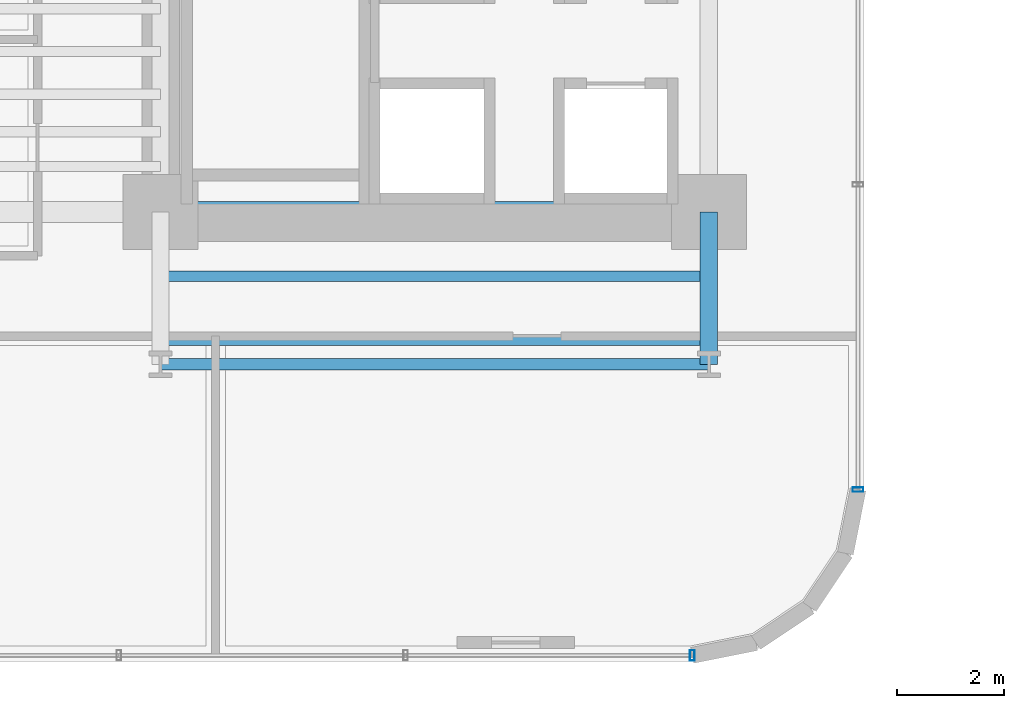
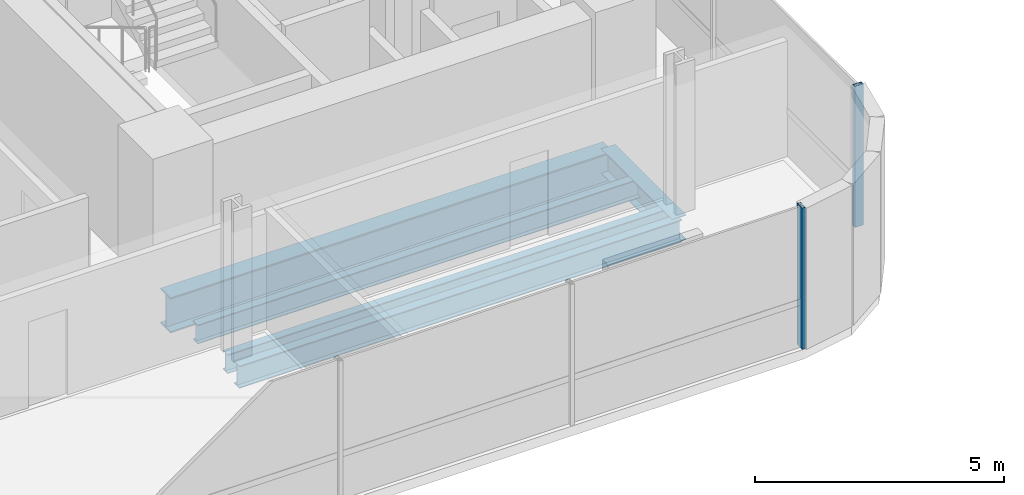
# One storey, part 5 of 38: 5 beams, 2 members, 2 elements without a shape of their own.
"""IFC4 building model written with IfcOpenShell, lengths in metres."""

from ifc_helpers import new_model, si_unit, direction, frame, origin, origin_2d, place, context, subcontext, project, spatial, hollow_rectangle, i_section, extrude, source, transform, mapped, material, material_profile, profile_set, type_object, element, aggregate, save


model = new_model("IFC4")

# Units and contexts
model_context = context("Model", 3, precision=1e-05, world=origin(), true_north=direction((0.0, 1.0)))
body_context = subcontext(model_context, "Body", "Model", "MODEL_VIEW")
ifc_project = project(units=[si_unit("LENGTHUNIT", "METRE"), si_unit("AREAUNIT", "SQUARE_METRE"), si_unit("VOLUMEUNIT", "CUBIC_METRE"), si_unit("PLANEANGLEUNIT", "RADIAN"), si_unit("MASSUNIT", "GRAM", prefix="KILO")], contexts=[model_context])

# Site, building, storey
site_placement = place(None, origin())
site = spatial("IfcSite", under=ifc_project, at=site_placement, CompositionType="ELEMENT")
building_placement = place(site_placement, origin())
building = spatial("IfcBuilding", under=site, at=building_placement, Name="Valdorenza Pilgrim Sanctuary Tower", CompositionType="ELEMENT")
storey_placement = place(building_placement, frame((0.0, 0.0, 37.10009765625)))
storey = spatial("IfcBuildingStorey", under=building, at=storey_placement, Name="L08", CompositionType="ELEMENT", Elevation=37.10009765625)

# Beams
ifc_material_1 = material(Name="Steel ASTM A992 Grade 50", Category="steel")
ifc_material_profile_1 = material_profile(ifc_material_1, i_section(OverallWidth=0.214111328125, OverallDepth=0.549072265625, WebThickness=0.0146484375, FlangeThickness=0.023681640625, at=origin_2d()), Name="W21X93")
ifc_profile_set_1 = profile_set([ifc_material_profile_1], Name="Steel ASTM A992 Grade 50")
beam_type_1 = type_object("IfcBeamType", Name="STR-BM-SPN-W21A", PredefinedType="SPANDREL", material=ifc_profile_set_1)
shared_shape_1 = source(origin(), body_context, "Body", "SweptSolid", [
    extrude(i_section(OverallWidth=0.214111328125, OverallDepth=0.549072265625, WebThickness=0.0146484375, FlangeThickness=0.023681640625, at=origin_2d()), origin(), (0.0, 0.0, 1.0), 10.25),
])
beam_1_placement = place(storey_placement, frame((-22.64990234375, -13.449951171875, -0.5146484375), z_axis=(1.0, 0.0, 0.0), x_axis=(0.0, 1.0, 0.0)))
element("IfcBeam", 1, at=beam_1_placement, inside=storey, type_object=beam_type_1, Name="L08 South Spandrel WA-S-TIE", PredefinedType="SPANDREL", context=body_context, shape_type="MappedRepresentation", body=[
    mapped(shared_shape_1, transform((0.0, 0.0, 0.0), x_axis=(1.0, 0.0, 0.0), y_axis=(0.0, 1.0, 0.0), z_axis=(0.0, 0.0, 1.0), scale=1.0)),
])
ifc_material_profile_2 = material_profile(ifc_material_1, i_section(OverallWidth=0.323974609375, OverallDepth=0.611083984375, WebThickness=0.0126953125, FlangeThickness=0.01904296875, at=origin_2d()), Name="W24X104")
ifc_profile_set_2 = profile_set([ifc_material_profile_2], Name="Steel ASTM A992 Grade 50")
beam_type_2 = type_object("IfcBeamType", Name="STR-BM-GRD-W24B", PredefinedType="BEAM", material=ifc_profile_set_2)
shared_shape_2 = source(origin(), body_context, "Body", "SweptSolid", [
    extrude(i_section(OverallWidth=0.323974609375, OverallDepth=0.611083984375, WebThickness=0.0126953125, FlangeThickness=0.01904296875, at=origin_2d()), origin(), (0.0, 0.0, 1.0), 2.849853515625),
])
beam_2_placement = place(storey_placement, frame((-12.39990234375, -13.449951171875, -0.545654296875), z_axis=(0.0, 1.0, 0.0), x_axis=(-1.0, 0.0, 0.0)))
element("IfcBeam", 2, at=beam_2_placement, inside=storey, type_object=beam_type_2, Name="L08 Floor Girder WA-S-LE", PredefinedType="BEAM", context=body_context, shape_type="MappedRepresentation", body=[
    mapped(shared_shape_2, transform((0.0, 0.0, 0.0), x_axis=(1.0, 0.0, 0.0), y_axis=(0.0, 1.0, 0.0), z_axis=(0.0, 0.0, 1.0), scale=1.0)),
])
ifc_material_profile_3 = material_profile(ifc_material_1, i_section(OverallWidth=0.193115234375, OverallDepth=0.466064453125, WebThickness=0.011474609375, FlangeThickness=0.01904296875, at=origin_2d()), Name="W18X65")
ifc_profile_set_3 = profile_set([ifc_material_profile_3], Name="Steel ASTM A992 Grade 50")
beam_type_3 = type_object("IfcBeamType", Name="STR-BM-JST-W18A", PredefinedType="JOIST", material=ifc_profile_set_3)
shared_shape_3 = source(origin(), body_context, "Body", "SweptSolid", [
    extrude(i_section(OverallWidth=0.193115234375, OverallDepth=0.466064453125, WebThickness=0.011474609375, FlangeThickness=0.01904296875, at=origin_2d()), origin(), (0.0, 0.0, 1.0), 10.25),
])
for number, where, z_axis, x_axis, name in (
    (3, (-22.64990234375, -13.0, -0.47314453125), (1.0, 0.0, 0.0), (0.0, 1.0, 0.0), "L08 Composite Floor Joist JST-WAS-1"),
    (4, (-22.64990234375, -11.800048828125, -0.47314453125), (1.0, 0.0, 0.0), (0.0, 1.0, 0.0), "L08 Composite Floor Joist JST-WAS-2"),
):
    element("IfcBeam", number, at=place(storey_placement, frame(where, z_axis=z_axis, x_axis=x_axis)), inside=storey, type_object=beam_type_3, Name=name, PredefinedType="JOIST", context=body_context, shape_type="MappedRepresentation", body=[
        mapped(shared_shape_3, transform((0.0, 0.0, 0.0), x_axis=(1.0, 0.0, 0.0), y_axis=(0.0, 1.0, 0.0), z_axis=(0.0, 0.0, 1.0), scale=1.0)),
    ])
ifc_material_profile_4 = material_profile(ifc_material_1, i_section(OverallWidth=0.39990234375, OverallDepth=0.862060546875, WebThickness=0.019775390625, FlangeThickness=0.032470703125, at=origin_2d()), Name="W33X221")
ifc_profile_set_4 = profile_set([ifc_material_profile_4], Name="Steel ASTM A992 Grade 50")
beam_type_4 = type_object("IfcBeamType", Name="STR-BM-GRD-W33", PredefinedType="BEAM", material=ifc_profile_set_4)
shared_shape_4 = source(origin(), body_context, "Body", "SweptSolid", [
    extrude(i_section(OverallWidth=0.39990234375, OverallDepth=0.862060546875, WebThickness=0.019775390625, FlangeThickness=0.032470703125, at=origin_2d()), origin(), (0.0, 0.0, 1.0), 10.25),
])
beam_3_placement = place(storey_placement, frame((-22.64990234375, -10.60009765625, -0.671142578125), z_axis=(1.0, 0.0, 0.0), x_axis=(0.0, 1.0, 0.0)))
element("IfcBeam", 5, at=beam_3_placement, inside=storey, type_object=beam_type_4, Name="L08 Floor Girder CA-XC-S1", PredefinedType="BEAM", context=body_context, shape_type="MappedRepresentation", body=[
    mapped(shared_shape_4, transform((0.0, 0.0, 0.0), x_axis=(1.0, 0.0, 0.0), y_axis=(0.0, 1.0, 0.0), z_axis=(0.0, 0.0, 1.0), scale=1.0)),
])

# Curtain wall, member
ifc_material_2 = material(Name="Curtain-wall IGU glazing", Category="glass")
curtain_wall_type = type_object("IfcCurtainWallType", Name="CW-SYS-02", PredefinedType="NOTDEFINED", material=ifc_material_2)
curtain_wall_1_placement = place(storey_placement, origin())
curtain_wall_1 = element("IfcCurtainWall", 6, at=curtain_wall_1_placement, inside=storey, type_object=curtain_wall_type, Name="L08 Curtain Wall CW-L08-1-41", PredefinedType="NOTDEFINED")
ifc_material_3 = material(Name="Anodised aluminium AW-6060", Category="aluminium")
ifc_material_profile_5 = material_profile(ifc_material_3, hollow_rectangle(XDim=0.0849609375, YDim=0.199951171875, WallThickness=0.0048828125, at=origin_2d()), Name="ALU-M 200x85x5")
ifc_profile_set_5 = profile_set([ifc_material_profile_5], Name="Anodised aluminium AW-6060")
member_type = type_object("IfcMemberType", Name="CW-MUL-02", PredefinedType="MULLION", material=ifc_profile_set_5)
shared_shape_5 = source(origin(), body_context, "Body", "SweptSolid", [
    extrude(hollow_rectangle(XDim=0.0849609375, YDim=0.199951171875, WallThickness=0.0048828125, at=origin_2d()), origin(), (0.0, 0.0, 1.0), 3.4599609375),
])
member_1_placement = place(storey_placement, frame((-9.610107421875, -15.789306640625, 0.0), z_axis=(0.0, 0.0, 1.0), x_axis=(0.0, -1.0, 0.0)))
member_1 = element("IfcMember", 7, at=member_1_placement, type_object=member_type, Name="CW-L08-1-41 Mullion 5", PredefinedType="MULLION", context=body_context, shape_type="MappedRepresentation", body=[
    mapped(shared_shape_5, transform((0.0, 0.0, 0.0), x_axis=(1.0, 0.0, 0.0), y_axis=(0.0, 1.0, 0.0), z_axis=(0.0, 0.0, 1.0), scale=1.0)),
])
aggregate(curtain_wall_1, [member_1])

curtain_wall_2_placement = place(storey_placement, origin())
curtain_wall_2 = element("IfcCurtainWall", 8, at=curtain_wall_2_placement, inside=storey, type_object=curtain_wall_type, Name="L08 Curtain Wall CW-L08-1-46", PredefinedType="NOTDEFINED")
member_2_placement = place(storey_placement, frame((-12.710693359375, -18.889892578125, 0.0), z_axis=(0.0, 0.0, 1.0), x_axis=(-1.0, 0.0, 0.0)))
member_2 = element("IfcMember", 9, at=member_2_placement, type_object=member_type, Name="CW-L08-1-46 Mullion 1", PredefinedType="MULLION", context=body_context, shape_type="MappedRepresentation", body=[
    mapped(shared_shape_5, transform((0.0, 0.0, 0.0), x_axis=(1.0, 0.0, 0.0), y_axis=(0.0, 1.0, 0.0), z_axis=(0.0, 0.0, 1.0), scale=1.0)),
])
aggregate(curtain_wall_2, [member_2])

save(model, "model.ifc")
